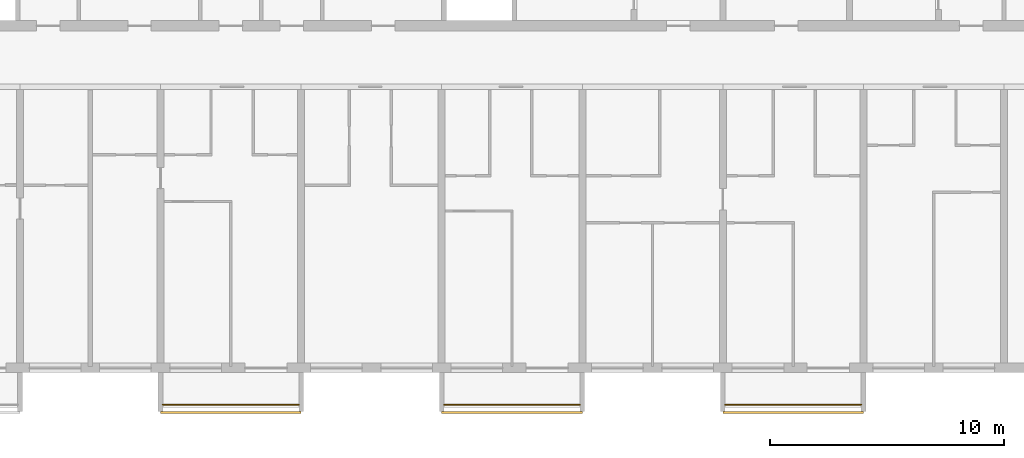
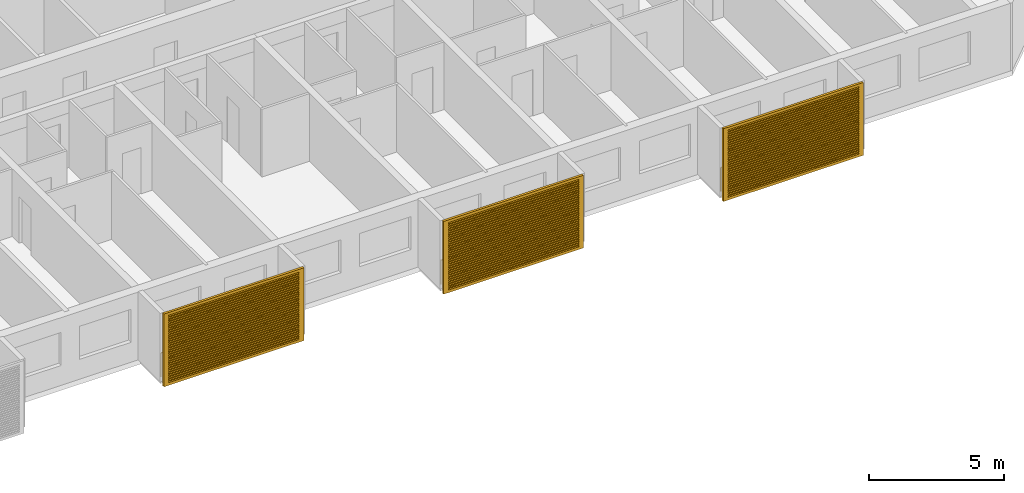
# One storey, part 15 of 32: 3 railings, 3 shading devices.
"""IFC4 building model written with IfcOpenShell, lengths in metres."""

from ifc_helpers import new_model, si_unit, direction, frame, origin, origin_2d, place, context, subcontext, project, spatial, polyline, circle, outline, extrude, source, transform, mapped, material, material_profile, profile_set, type_object, element, save


model = new_model("IFC4")

# Units and contexts
model_context = context("Model", 3, precision=1e-05, world=origin(), true_north=direction((0.0, 1.0)))
body_context = subcontext(model_context, "Body", "Model", "MODEL_VIEW")
ifc_project = project(units=[si_unit("LENGTHUNIT", "METRE"), si_unit("AREAUNIT", "SQUARE_METRE"), si_unit("VOLUMEUNIT", "CUBIC_METRE"), si_unit("PLANEANGLEUNIT", "RADIAN"), si_unit("MASSUNIT", "GRAM", prefix="KILO")], contexts=[model_context])

# Site, building, storey
site_placement = place(None, origin())
site = spatial("IfcSite", under=ifc_project, at=site_placement, CompositionType="ELEMENT")
building_placement = place(site_placement, origin())
building = spatial("IfcBuilding", under=site, at=building_placement, Name="Poui Terraces", CompositionType="ELEMENT")
storey_placement = place(building_placement, frame((0.0, 0.0, 122.39990234375)))
storey = spatial("IfcBuildingStorey", under=building, at=storey_placement, Name="L33", CompositionType="ELEMENT", Elevation=122.39990234375)

# Railings
ifc_material_1 = material(Name="Painted steel fretwork", Category="steel")
railing_type = type_object("IfcRailingType", Name="BALCONY GUARD 1100", PredefinedType="GUARDRAIL", material=ifc_material_1)
for number, where, name in (
    (1, (48.10009765625, -1.570068359375, 0.0), "BALCONY GUARD"),
    (2, (60.10009765625, -1.570068359375, 0.0), "BALCONY GUARD"),
    (3, (72.10009765625, -1.570068359375, 0.0), "BALCONY GUARD"),
):
    element("IfcRailing", number, at=place(storey_placement, frame(where)), inside=storey, type_object=railing_type, Name=name, PredefinedType="GUARDRAIL", context=body_context, shape_type="SweptSolid", body=[
        extrude(circle(Radius=0.02392578125, at=origin_2d()), frame((0.0, 0.0, 1.076171875), z_axis=(1.0, 0.0, 0.0), x_axis=(0.0, 1.0, 0.0)), (0.0, 0.0, 1.0), 5.7998046875),
        extrude(circle(Radius=0.02099609375, at=origin_2d()), origin(), (0.0, 0.0, 1.0), 1.052001953125),
        extrude(circle(Radius=0.02099609375, at=origin_2d()), frame((0.966552734375, 0.0, 0.0)), (0.0, 0.0, 1.0), 1.052001953125),
        extrude(circle(Radius=0.02099609375, at=origin_2d()), frame((1.933349609375, 0.0, 0.0)), (0.0, 0.0, 1.0), 1.052001953125),
        extrude(circle(Radius=0.02099609375, at=origin_2d()), frame((2.89990234375, 0.0, 0.0)), (0.0, 0.0, 1.0), 1.052001953125),
        extrude(circle(Radius=0.02099609375, at=origin_2d()), frame((3.866455078125, 0.0, 0.0)), (0.0, 0.0, 1.0), 1.052001953125),
        extrude(circle(Radius=0.02099609375, at=origin_2d()), frame((4.833251953125, 0.0, 0.0)), (0.0, 0.0, 1.0), 1.052001953125),
        extrude(circle(Radius=0.02099609375, at=origin_2d()), frame((5.7998046875, 0.0, 0.0)), (0.0, 0.0, 1.0), 1.052001953125),
    ])

# Shading devices
ifc_material_2 = material(Name="Aluminium louvre", Category="aluminium")
ifc_material_profile = material_profile(ifc_material_2, outline(polyline([(-3.0, -1.64990234375), (3.0, -1.64990234375), (3.0, 1.64990234375), (-3.0, 1.64990234375), (-3.0, -1.64990234375)]), holes=[polyline([(-2.800048828125, -1.530029296875), (2.800048828125, -1.530029296875), (2.800048828125, -1.469970703125), (-2.800048828125, -1.469970703125), (-2.800048828125, -1.530029296875)]), polyline([(-2.800048828125, -1.429931640625), (2.800048828125, -1.429931640625), (2.800048828125, -1.3701171875), (-2.800048828125, -1.3701171875), (-2.800048828125, -1.429931640625)]), polyline([(-2.800048828125, -1.330078125), (2.800048828125, -1.330078125), (2.800048828125, -1.27001953125), (-2.800048828125, -1.27001953125), (-2.800048828125, -1.330078125)]), polyline([(-2.800048828125, -1.22998046875), (2.800048828125, -1.22998046875), (2.800048828125, -1.169921875), (-2.800048828125, -1.169921875), (-2.800048828125, -1.22998046875)]), polyline([(-2.800048828125, -1.1298828125), (2.800048828125, -1.1298828125), (2.800048828125, -1.070068359375), (-2.800048828125, -1.070068359375), (-2.800048828125, -1.1298828125)]), polyline([(-2.800048828125, -1.030029296875), (2.800048828125, -1.030029296875), (2.800048828125, -0.969970703125), (-2.800048828125, -0.969970703125), (-2.800048828125, -1.030029296875)]), polyline([(-2.800048828125, -0.929931640625), (2.800048828125, -0.929931640625), (2.800048828125, -0.8701171875), (-2.800048828125, -0.8701171875), (-2.800048828125, -0.929931640625)]), polyline([(-2.800048828125, -0.830078125), (2.800048828125, -0.830078125), (2.800048828125, -0.77001953125), (-2.800048828125, -0.77001953125), (-2.800048828125, -0.830078125)]), polyline([(-2.800048828125, -0.72998046875), (2.800048828125, -0.72998046875), (2.800048828125, -0.669921875), (-2.800048828125, -0.669921875), (-2.800048828125, -0.72998046875)]), polyline([(-2.800048828125, -0.6298828125), (2.800048828125, -0.6298828125), (2.800048828125, -0.570068359375), (-2.800048828125, -0.570068359375), (-2.800048828125, -0.6298828125)]), polyline([(-2.800048828125, -0.530029296875), (2.800048828125, -0.530029296875), (2.800048828125, -0.469970703125), (-2.800048828125, -0.469970703125), (-2.800048828125, -0.530029296875)]), polyline([(-2.800048828125, -0.429931640625), (2.800048828125, -0.429931640625), (2.800048828125, -0.3701171875), (-2.800048828125, -0.3701171875), (-2.800048828125, -0.429931640625)]), polyline([(-2.800048828125, -0.330078125), (2.800048828125, -0.330078125), (2.800048828125, -0.27001953125), (-2.800048828125, -0.27001953125), (-2.800048828125, -0.330078125)]), polyline([(-2.800048828125, -0.22998046875), (2.800048828125, -0.22998046875), (2.800048828125, -0.169921875), (-2.800048828125, -0.169921875), (-2.800048828125, -0.22998046875)]), polyline([(-2.800048828125, -0.1298828125), (2.800048828125, -0.1298828125), (2.800048828125, -0.070068359375), (-2.800048828125, -0.070068359375), (-2.800048828125, -0.1298828125)]), polyline([(-2.800048828125, -0.030029296875), (2.800048828125, -0.030029296875), (2.800048828125, 0.030029296875), (-2.800048828125, 0.030029296875), (-2.800048828125, -0.030029296875)]), polyline([(-2.800048828125, 0.070068359375), (2.800048828125, 0.070068359375), (2.800048828125, 0.1298828125), (-2.800048828125, 0.1298828125), (-2.800048828125, 0.070068359375)]), polyline([(-2.800048828125, 0.169921875), (2.800048828125, 0.169921875), (2.800048828125, 0.22998046875), (-2.800048828125, 0.22998046875), (-2.800048828125, 0.169921875)]), polyline([(-2.800048828125, 0.27001953125), (2.800048828125, 0.27001953125), (2.800048828125, 0.330078125), (-2.800048828125, 0.330078125), (-2.800048828125, 0.27001953125)]), polyline([(-2.800048828125, 0.3701171875), (2.800048828125, 0.3701171875), (2.800048828125, 0.429931640625), (-2.800048828125, 0.429931640625), (-2.800048828125, 0.3701171875)]), polyline([(-2.800048828125, 0.469970703125), (2.800048828125, 0.469970703125), (2.800048828125, 0.530029296875), (-2.800048828125, 0.530029296875), (-2.800048828125, 0.469970703125)]), polyline([(-2.800048828125, 0.570068359375), (2.800048828125, 0.570068359375), (2.800048828125, 0.6298828125), (-2.800048828125, 0.6298828125), (-2.800048828125, 0.570068359375)]), polyline([(-2.800048828125, 0.669921875), (2.800048828125, 0.669921875), (2.800048828125, 0.72998046875), (-2.800048828125, 0.72998046875), (-2.800048828125, 0.669921875)]), polyline([(-2.800048828125, 0.77001953125), (2.800048828125, 0.77001953125), (2.800048828125, 0.830078125), (-2.800048828125, 0.830078125), (-2.800048828125, 0.77001953125)]), polyline([(-2.800048828125, 0.8701171875), (2.800048828125, 0.8701171875), (2.800048828125, 0.929931640625), (-2.800048828125, 0.929931640625), (-2.800048828125, 0.8701171875)]), polyline([(-2.800048828125, 0.969970703125), (2.800048828125, 0.969970703125), (2.800048828125, 1.030029296875), (-2.800048828125, 1.030029296875), (-2.800048828125, 0.969970703125)]), polyline([(-2.800048828125, 1.070068359375), (2.800048828125, 1.070068359375), (2.800048828125, 1.1298828125), (-2.800048828125, 1.1298828125), (-2.800048828125, 1.070068359375)]), polyline([(-2.800048828125, 1.169921875), (2.800048828125, 1.169921875), (2.800048828125, 1.22998046875), (-2.800048828125, 1.22998046875), (-2.800048828125, 1.169921875)]), polyline([(-2.800048828125, 1.27001953125), (2.800048828125, 1.27001953125), (2.800048828125, 1.330078125), (-2.800048828125, 1.330078125), (-2.800048828125, 1.27001953125)]), polyline([(-2.800048828125, 1.3701171875), (2.800048828125, 1.3701171875), (2.800048828125, 1.429931640625), (-2.800048828125, 1.429931640625), (-2.800048828125, 1.3701171875)]), polyline([(-2.800048828125, 1.469970703125), (2.800048828125, 1.469970703125), (2.800048828125, 1.530029296875), (-2.800048828125, 1.530029296875), (-2.800048828125, 1.469970703125)])]), Name="JALOUSIE LOUVRE SHUTTER 6000X3300")
ifc_profile_set = profile_set([ifc_material_profile], Name="Aluminium louvre")
shading_device_type = type_object("IfcShadingDeviceType", Name="JALOUSIE LOUVRE SHUTTER 6000X3300", PredefinedType="JALOUSIE", material=ifc_profile_set)
shared_shape = source(origin(), body_context, "Body", "SweptSolid", [
    extrude(outline(polyline([(-3.0, -1.64990234375), (3.0, -1.64990234375), (3.0, 1.64990234375), (-3.0, 1.64990234375), (-3.0, -1.64990234375)]), holes=[polyline([(-2.800048828125, -1.530029296875), (2.800048828125, -1.530029296875), (2.800048828125, -1.469970703125), (-2.800048828125, -1.469970703125), (-2.800048828125, -1.530029296875)]), polyline([(-2.800048828125, -1.429931640625), (2.800048828125, -1.429931640625), (2.800048828125, -1.3701171875), (-2.800048828125, -1.3701171875), (-2.800048828125, -1.429931640625)]), polyline([(-2.800048828125, -1.330078125), (2.800048828125, -1.330078125), (2.800048828125, -1.27001953125), (-2.800048828125, -1.27001953125), (-2.800048828125, -1.330078125)]), polyline([(-2.800048828125, -1.22998046875), (2.800048828125, -1.22998046875), (2.800048828125, -1.169921875), (-2.800048828125, -1.169921875), (-2.800048828125, -1.22998046875)]), polyline([(-2.800048828125, -1.1298828125), (2.800048828125, -1.1298828125), (2.800048828125, -1.070068359375), (-2.800048828125, -1.070068359375), (-2.800048828125, -1.1298828125)]), polyline([(-2.800048828125, -1.030029296875), (2.800048828125, -1.030029296875), (2.800048828125, -0.969970703125), (-2.800048828125, -0.969970703125), (-2.800048828125, -1.030029296875)]), polyline([(-2.800048828125, -0.929931640625), (2.800048828125, -0.929931640625), (2.800048828125, -0.8701171875), (-2.800048828125, -0.8701171875), (-2.800048828125, -0.929931640625)]), polyline([(-2.800048828125, -0.830078125), (2.800048828125, -0.830078125), (2.800048828125, -0.77001953125), (-2.800048828125, -0.77001953125), (-2.800048828125, -0.830078125)]), polyline([(-2.800048828125, -0.72998046875), (2.800048828125, -0.72998046875), (2.800048828125, -0.669921875), (-2.800048828125, -0.669921875), (-2.800048828125, -0.72998046875)]), polyline([(-2.800048828125, -0.6298828125), (2.800048828125, -0.6298828125), (2.800048828125, -0.570068359375), (-2.800048828125, -0.570068359375), (-2.800048828125, -0.6298828125)]), polyline([(-2.800048828125, -0.530029296875), (2.800048828125, -0.530029296875), (2.800048828125, -0.469970703125), (-2.800048828125, -0.469970703125), (-2.800048828125, -0.530029296875)]), polyline([(-2.800048828125, -0.429931640625), (2.800048828125, -0.429931640625), (2.800048828125, -0.3701171875), (-2.800048828125, -0.3701171875), (-2.800048828125, -0.429931640625)]), polyline([(-2.800048828125, -0.330078125), (2.800048828125, -0.330078125), (2.800048828125, -0.27001953125), (-2.800048828125, -0.27001953125), (-2.800048828125, -0.330078125)]), polyline([(-2.800048828125, -0.22998046875), (2.800048828125, -0.22998046875), (2.800048828125, -0.169921875), (-2.800048828125, -0.169921875), (-2.800048828125, -0.22998046875)]), polyline([(-2.800048828125, -0.1298828125), (2.800048828125, -0.1298828125), (2.800048828125, -0.070068359375), (-2.800048828125, -0.070068359375), (-2.800048828125, -0.1298828125)]), polyline([(-2.800048828125, -0.030029296875), (2.800048828125, -0.030029296875), (2.800048828125, 0.030029296875), (-2.800048828125, 0.030029296875), (-2.800048828125, -0.030029296875)]), polyline([(-2.800048828125, 0.070068359375), (2.800048828125, 0.070068359375), (2.800048828125, 0.1298828125), (-2.800048828125, 0.1298828125), (-2.800048828125, 0.070068359375)]), polyline([(-2.800048828125, 0.169921875), (2.800048828125, 0.169921875), (2.800048828125, 0.22998046875), (-2.800048828125, 0.22998046875), (-2.800048828125, 0.169921875)]), polyline([(-2.800048828125, 0.27001953125), (2.800048828125, 0.27001953125), (2.800048828125, 0.330078125), (-2.800048828125, 0.330078125), (-2.800048828125, 0.27001953125)]), polyline([(-2.800048828125, 0.3701171875), (2.800048828125, 0.3701171875), (2.800048828125, 0.429931640625), (-2.800048828125, 0.429931640625), (-2.800048828125, 0.3701171875)]), polyline([(-2.800048828125, 0.469970703125), (2.800048828125, 0.469970703125), (2.800048828125, 0.530029296875), (-2.800048828125, 0.530029296875), (-2.800048828125, 0.469970703125)]), polyline([(-2.800048828125, 0.570068359375), (2.800048828125, 0.570068359375), (2.800048828125, 0.6298828125), (-2.800048828125, 0.6298828125), (-2.800048828125, 0.570068359375)]), polyline([(-2.800048828125, 0.669921875), (2.800048828125, 0.669921875), (2.800048828125, 0.72998046875), (-2.800048828125, 0.72998046875), (-2.800048828125, 0.669921875)]), polyline([(-2.800048828125, 0.77001953125), (2.800048828125, 0.77001953125), (2.800048828125, 0.830078125), (-2.800048828125, 0.830078125), (-2.800048828125, 0.77001953125)]), polyline([(-2.800048828125, 0.8701171875), (2.800048828125, 0.8701171875), (2.800048828125, 0.929931640625), (-2.800048828125, 0.929931640625), (-2.800048828125, 0.8701171875)]), polyline([(-2.800048828125, 0.969970703125), (2.800048828125, 0.969970703125), (2.800048828125, 1.030029296875), (-2.800048828125, 1.030029296875), (-2.800048828125, 0.969970703125)]), polyline([(-2.800048828125, 1.070068359375), (2.800048828125, 1.070068359375), (2.800048828125, 1.1298828125), (-2.800048828125, 1.1298828125), (-2.800048828125, 1.070068359375)]), polyline([(-2.800048828125, 1.169921875), (2.800048828125, 1.169921875), (2.800048828125, 1.22998046875), (-2.800048828125, 1.22998046875), (-2.800048828125, 1.169921875)]), polyline([(-2.800048828125, 1.27001953125), (2.800048828125, 1.27001953125), (2.800048828125, 1.330078125), (-2.800048828125, 1.330078125), (-2.800048828125, 1.27001953125)]), polyline([(-2.800048828125, 1.3701171875), (2.800048828125, 1.3701171875), (2.800048828125, 1.429931640625), (-2.800048828125, 1.429931640625), (-2.800048828125, 1.3701171875)]), polyline([(-2.800048828125, 1.469970703125), (2.800048828125, 1.469970703125), (2.800048828125, 1.530029296875), (-2.800048828125, 1.530029296875), (-2.800048828125, 1.469970703125)])]), origin(), (0.0, 0.0, 1.0), 0.099853515625),
])
for number, where, z_axis, x_axis, name in (
    (4, (51.0, -1.85009765625, 1.4501953125), (0.0, -1.0, 0.0), (1.0, 0.0, 0.0), "JALOUSIE LOUVRE SHUTTER"),
    (5, (63.0, -1.85009765625, 1.4501953125), (0.0, -1.0, 0.0), (1.0, 0.0, 0.0), "JALOUSIE LOUVRE SHUTTER"),
    (6, (75.0, -1.85009765625, 1.4501953125), (0.0, -1.0, 0.0), (1.0, 0.0, 0.0), "JALOUSIE LOUVRE SHUTTER"),
):
    element("IfcShadingDevice", number, at=place(storey_placement, frame(where, z_axis=z_axis, x_axis=x_axis)), inside=storey, type_object=shading_device_type, Name=name, PredefinedType="JALOUSIE", context=body_context, shape_type="MappedRepresentation", body=[
        mapped(shared_shape, transform((0.0, 0.0, 0.0))),
    ])

save(model, "model.ifc")
